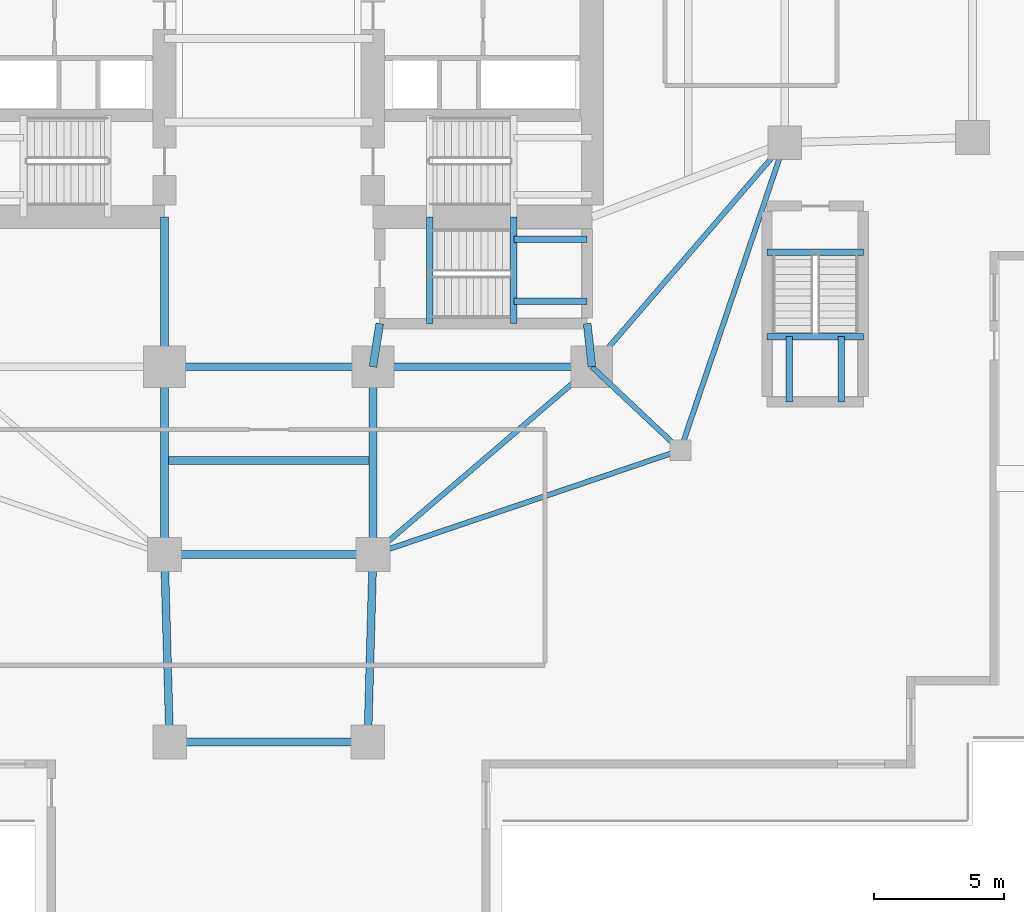
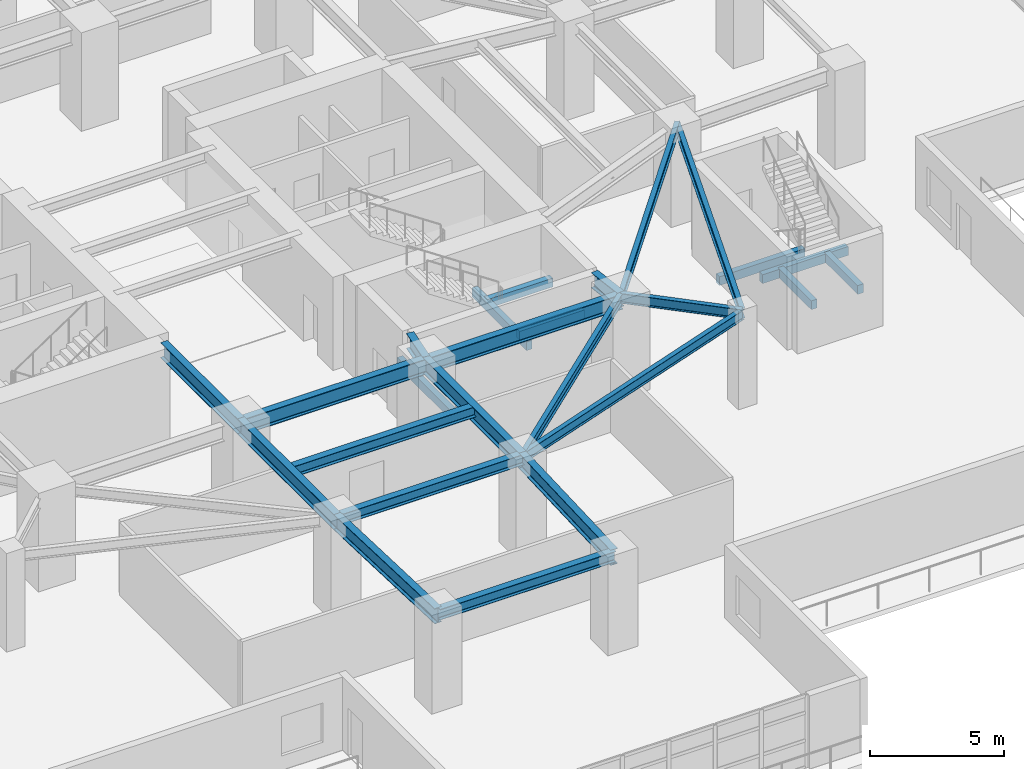
# One storey, part 3 of 23: 25 beams.
"""IFC4 building model written with IfcOpenShell, lengths in metres."""

import ifcopenshell
import ifcopenshell.guid

model = None  # the IFC model being written
_history = None  # IfcOwnerHistory: only IFC2X3 demands one
_inside = {}  # id of a spatial element -> (the spatial element, [elements in it])
_under = {}  # id of a project, library or spatial element -> (it, [spatial elements below it])
_declared = {}  # id of a project -> (the project, [libraries it declares])
_typed = {}  # id of a type object -> (the type object, [elements of that type])
_made_of = {}  # id of a material, layer set ... -> (it, [elements and type objects made of it])


def new_model(schema):
    """Start an empty IFC model of exactly this schema.

    Asked for "IFC4X3", IfcOpenShell would pick the latest addendum, in which some entities
    have other attributes; the version numbers below select the first issue.
    IFC2X3 requires an IfcOwnerHistory on every rooted entity: one is made here for all.
    """
    global model, _history
    if schema == "IFC4X3":
        model = ifcopenshell.file(schema_version=(4, 3, 0, 0))
    else:
        model = ifcopenshell.file(schema=schema)
    _inside.clear()
    _under.clear()
    _declared.clear()
    _typed.clear()
    _made_of.clear()
    _history = None
    if model.schema == "IFC2X3":
        org = make("IfcOrganization", Name="unknown")
        user = make(
            "IfcPersonAndOrganization",
            ThePerson=make("IfcPerson", FamilyName="unknown"),
            TheOrganization=org,
        )
        app = make(
            "IfcApplication",
            ApplicationDeveloper=org,
            Version="unknown",
            ApplicationFullName="unknown",
            ApplicationIdentifier="unknown",
        )
        _history = make(
            "IfcOwnerHistory",
            OwningUser=user,
            OwningApplication=app,
            ChangeAction="ADDED",
            CreationDate=0,
        )
    return model


def make(cls, **values):
    """One entity of the class cls with the attributes given. An attribute that is None is left unset."""
    return model.create_entity(
        cls, **{name: value for name, value in values.items() if value is not None}
    )


def rooted(cls, **values):
    """An entity with a GlobalId (a new one), such as an element, a storey or a relation."""
    return make(cls, GlobalId=ifcopenshell.guid.new(), OwnerHistory=_history, **values)


def si_unit(unit_type, name, prefix=None):
    """IfcSIUnit, for example si_unit("LENGTHUNIT", "METRE", prefix="MILLI")."""
    return make("IfcSIUnit", UnitType=unit_type, Prefix=prefix, Name=name)


def assignment(units):
    """IfcUnitAssignment: the units of a project."""
    return None if units is None else make("IfcUnitAssignment", Units=units)


def point(xyz):
    """IfcCartesianPoint."""
    return None if xyz is None else make("IfcCartesianPoint", Coordinates=xyz)


def direction(xyz):
    """IfcDirection."""
    return None if xyz is None else make("IfcDirection", DirectionRatios=xyz)


def frame(location, z_axis=None, x_axis=None):
    """IfcAxis2Placement3D, a coordinate frame: its origin and axes. An axis left out is left unset."""
    return make(
        "IfcAxis2Placement3D",
        Location=point(location),
        Axis=direction(z_axis),
        RefDirection=direction(x_axis),
    )


def frame_2d(location, x_axis=None):
    """IfcAxis2Placement2D, a coordinate frame in the plane: its origin and x axis."""
    return make(
        "IfcAxis2Placement2D", Location=point(location), RefDirection=direction(x_axis)
    )


def origin():
    """The frame at (0, 0, 0) with its axes left unset."""
    return frame((0.0, 0.0, 0.0))


def origin_2d():
    """The frame at (0, 0) in the plane with its x axis left unset."""
    return frame_2d((0.0, 0.0))


def place(relative_to, where):
    """IfcLocalPlacement: puts the frame where relative to a parent placement (None: the world)."""
    return make(
        "IfcLocalPlacement", PlacementRelTo=relative_to, RelativePlacement=where
    )


def context(
    kind, dimensions, precision=None, world=None, true_north=None, identifier=None
):
    """IfcGeometricRepresentationContext, for example the 3D "Model" context."""
    return make(
        "IfcGeometricRepresentationContext",
        ContextIdentifier=identifier,
        ContextType=kind,
        CoordinateSpaceDimension=dimensions,
        Precision=precision,
        WorldCoordinateSystem=world,
        TrueNorth=true_north,
    )


def subcontext(parent, identifier, kind, view, scale=None):
    """IfcGeometricRepresentationSubContext, for example "Body" below "Model"."""
    return make(
        "IfcGeometricRepresentationSubContext",
        ContextIdentifier=identifier,
        ContextType=kind,
        ParentContext=parent,
        TargetScale=scale,
        TargetView=view,
    )


def project(units=None, contexts=None):
    """IfcProject with its units and contexts."""
    return rooted(
        "IfcProject",
        Name="project",
        RepresentationContexts=contexts,
        UnitsInContext=assignment(units),
    )


def spatial(cls, under=None, at=None, **own):
    """A site, building, storey or space (cls), placed at a placement, below another one or the project."""
    s = rooted(cls, ObjectPlacement=at, **own)
    if under is not None:
        _under.setdefault(under.id(), (under, []))[1].append(s)
    return s


def profile(cls, at=None, kind="AREA", **sizes):
    """A parametric profile (cls). Its sizes go by their IFC names, for example OverallWidth=200.0."""
    return make(cls, ProfileType=kind, Position=at, **sizes)


def rectangle(**sizes):
    """IfcRectangleProfileDef."""
    return profile("IfcRectangleProfileDef", **sizes)


def i_section(**sizes):
    """IfcIShapeProfileDef."""
    return profile("IfcIShapeProfileDef", **sizes)


def extrude(swept, where, along, depth):
    """IfcExtrudedAreaSolid: the profile swept, set in the frame where, extruded along a direction by depth."""
    return make(
        "IfcExtrudedAreaSolid",
        SweptArea=swept,
        Position=where,
        ExtrudedDirection=direction(along),
        Depth=depth,
    )


def shape(context_of_items, identifier, shape_type, items):
    """IfcShapeRepresentation: the items that make up one representation, for example the "Body"."""
    return make(
        "IfcShapeRepresentation",
        ContextOfItems=context_of_items,
        RepresentationIdentifier=identifier,
        RepresentationType=shape_type,
        Items=items,
    )


def material(Name=None, Category=None):
    """IfcMaterial."""
    return make("IfcMaterial", Name=Name, Category=Category)


def material_profile(
    of_material, cross_section, Name=None, Category=None, Priority=None
):
    """IfcMaterialProfile: a cross section and its material."""
    return make(
        "IfcMaterialProfile",
        Name=Name,
        Material=of_material,
        Profile=cross_section,
        Priority=Priority,
        Category=Category,
    )


def profile_set(profiles, Name=None, composite=None):
    """IfcMaterialProfileSet."""
    return make(
        "IfcMaterialProfileSet",
        Name=Name,
        MaterialProfiles=profiles,
        CompositeProfile=composite,
    )


def made_of(thing, what):
    """Note that an element or type object is made of a material, layer set ...; save() writes the relation."""
    if what is not None:
        _made_of.setdefault(what.id(), (what, []))[1].append(thing)
    return thing


def type_object(cls, material=None, **own):
    """A type object (cls), such as IfcWallType, which elements share."""
    return made_of(rooted(cls, **own), material)


def element(
    cls,
    number,
    at=None,
    inside=None,
    cuts=None,
    type_object=None,
    material=None,
    context=None,
    identifier="Body",
    shape_type=None,
    held_by="IfcProductDefinitionShape",
    body=None,
    shapes=None,
    **own,
):
    """One element of the class cls, such as IfcWall. Its Tag is "e" and its number.

    at: its placement. inside: the storey or other place that contains it. cuts: it is an
    opening in that element (IfcRelVoidsElement). A single representation is given by context,
    identifier, shape_type and body (its items); several are given by shapes. held_by: the class
    of the entity that holds the representations. save() writes the other relations.
    """
    e = rooted(cls, Tag="e%d" % number, ObjectPlacement=at, **own)
    if body is not None:
        shapes = [shape(context, identifier, shape_type, body)]
    if shapes is not None:
        e.Representation = make(held_by, Representations=shapes)
    if inside is not None:
        _inside.setdefault(inside.id(), (inside, []))[1].append(e)
    if cuts is not None:
        rooted(
            "IfcRelVoidsElement", RelatingBuildingElement=cuts, RelatedOpeningElement=e
        )
    if type_object is not None:
        _typed.setdefault(type_object.id(), (type_object, []))[1].append(e)
    return made_of(e, material)


def aggregate(whole, parts):
    """IfcRelAggregates: a whole, such as a stair, and the parts it consists of."""
    return rooted("IfcRelAggregates", RelatingObject=whole, RelatedObjects=parts)


def save(model, path):
    """Write the relations noted so far, then the file.

    IfcRelAggregates (storeys below a building ...), IfcRelContainedInSpatialStructure (elements
    in a storey), IfcRelDefinesByType, IfcRelAssociatesMaterial and IfcRelDeclares: one each for
    every whole, place, type object, material and project.
    """
    for whole, parts in _under.values():
        aggregate(whole, parts)
    for where, things in _inside.values():
        rooted(
            "IfcRelContainedInSpatialStructure",
            RelatedElements=things,
            RelatingStructure=where,
        )
    for kind, things in _typed.values():
        rooted("IfcRelDefinesByType", RelatedObjects=things, RelatingType=kind)
    for what, things in _made_of.values():
        rooted("IfcRelAssociatesMaterial", RelatedObjects=things, RelatingMaterial=what)
    for by, libraries in _declared.values():
        rooted("IfcRelDeclares", RelatingContext=by, RelatedDefinitions=libraries)
    model.write(path)


model = new_model("IFC4")

# Units and contexts
model_context = context("Model", 3, precision=1e-05, world=origin(), true_north=direction((0.0, 1.0)))
body_context = subcontext(model_context, "Body", "Model", "MODEL_VIEW")
ifc_project = project(units=[si_unit("LENGTHUNIT", "METRE"), si_unit("AREAUNIT", "SQUARE_METRE"), si_unit("VOLUMEUNIT", "CUBIC_METRE"), si_unit("PLANEANGLEUNIT", "RADIAN"), si_unit("MASSUNIT", "GRAM", prefix="KILO")], contexts=[model_context])

# Site, building, storey
site_placement = place(None, origin())
site = spatial("IfcSite", under=ifc_project, at=site_placement, CompositionType="ELEMENT")
building_placement = place(site_placement, origin())
building = spatial("IfcBuilding", under=site, at=building_placement, Name="Qingluan Cross Belvedere", CompositionType="ELEMENT")
storey_placement = place(building_placement, frame((0.0, 0.0, 10.199951171875)))
storey = spatial("IfcBuildingStorey", under=building, at=storey_placement, Name="L03", CompositionType="ELEMENT", Elevation=10.199951171875)

# Beams
ifc_material_1 = material(Name="Concrete C45", Category="concrete")
ifc_material_profile_1 = material_profile(ifc_material_1, rectangle(XDim=0.25, YDim=0.39990234375, at=origin_2d()), Name="RC250x400")
ifc_profile_set_1 = profile_set([ifc_material_profile_1], Name="Concrete C45")
beam_type_1 = type_object("IfcBeamType", Name="RC_Lintel_RC250x400", PredefinedType="LINTEL", material=ifc_profile_set_1)
beam_1_placement = place(storey_placement, frame((6.179931640625, -10.93994140625, -0.199951171875), z_axis=(0.0, 1.0, 0.0), x_axis=(-1.0, 0.0, 0.0)))
element("IfcBeam", 1, at=beam_1_placement, inside=storey, type_object=beam_type_1, Name="Stair ST4 landing beam L03", PredefinedType="LINTEL", context=body_context, shape_type="SweptSolid", body=[
    extrude(rectangle(XDim=0.25, YDim=0.39990234375, at=origin_2d()), origin(), (0.0, 0.0, 1.0), 4.08984375),
])
beam_2_placement = place(storey_placement, frame((19.1201171875, -8.2099609375, -0.199951171875), z_axis=(1.0, 0.0, 0.0), x_axis=(0.0, 1.0, 0.0)))
element("IfcBeam", 2, at=beam_2_placement, inside=storey, type_object=beam_type_1, Name="Stair ST6 landing beam L03", PredefinedType="LINTEL", context=body_context, shape_type="SweptSolid", body=[
    extrude(rectangle(XDim=0.25, YDim=0.39990234375, at=origin_2d()), origin(), (0.0, 0.0, 1.0), 3.699951171875),
])
beam_3_placement = place(storey_placement, frame((9.409912109375, -10.93994140625, 1.85009765625), z_axis=(0.0, 1.0, 0.0), x_axis=(-1.0, 0.0, 0.0)))
element("IfcBeam", 3, at=beam_3_placement, inside=storey, type_object=beam_type_1, Name="Stair ST4 beam A L03", PredefinedType="LINTEL", context=body_context, shape_type="SweptSolid", body=[
    extrude(rectangle(XDim=0.25, YDim=0.39990234375, at=origin_2d()), origin(), (0.0, 0.0, 1.0), 4.08984375),
])
for number, where, z_axis, x_axis, name in (
    (4, (12.219970703125, -10.090087890625, 1.85009765625), (-1.0, 0.0, 0.0), (0.0, -1.0, 0.0), "Stair ST4 beam B L03"),
    (5, (12.219970703125, -7.699951171875, 1.85009765625), (-1.0, 0.0, 0.0), (0.0, -1.0, 0.0), "Stair ST4 beam C L03"),
):
    element("IfcBeam", number, at=place(storey_placement, frame(where, z_axis=z_axis, x_axis=x_axis)), inside=storey, type_object=beam_type_1, Name=name, PredefinedType="LINTEL", context=body_context, shape_type="SweptSolid", body=[
        extrude(rectangle(XDim=0.25, YDim=0.39990234375, at=origin_2d()), origin(), (0.0, 0.0, 1.0), 2.81005859375),
    ])
beam_4_placement = place(storey_placement, frame((19.1201171875, -11.43994140625, 1.85009765625), z_axis=(1.0, 0.0, 0.0), x_axis=(0.0, 1.0, 0.0)))
element("IfcBeam", 6, at=beam_4_placement, inside=storey, type_object=beam_type_1, Name="Stair ST6 beam A L03", PredefinedType="LINTEL", context=body_context, shape_type="SweptSolid", body=[
    extrude(rectangle(XDim=0.25, YDim=0.39990234375, at=origin_2d()), origin(), (0.0, 0.0, 1.0), 3.699951171875),
])
for number, where, z_axis, x_axis, name in (
    (7, (19.969970703125, -13.949951171875, 1.85009765625), (0.0, 1.0, 0.0), (-1.0, 0.0, 0.0), "Stair ST6 beam B L03"),
    (8, (21.969970703125, -13.949951171875, 1.85009765625), (0.0, 1.0, 0.0), (-1.0, 0.0, 0.0), "Stair ST6 beam C L03"),
):
    element("IfcBeam", number, at=place(storey_placement, frame(where, z_axis=z_axis, x_axis=x_axis)), inside=storey, type_object=beam_type_1, Name=name, PredefinedType="LINTEL", context=body_context, shape_type="SweptSolid", body=[
        extrude(rectangle(XDim=0.25, YDim=0.39990234375, at=origin_2d()), origin(), (0.0, 0.0, 1.0), 2.510009765625),
    ])
ifc_material_2 = material(Name="Steel Q420GJB", Category="steel")
ifc_material_profile_2 = material_profile(ifc_material_2, i_section(OverallWidth=0.300048828125, OverallDepth=0.488037109375, WebThickness=0.010986328125, FlangeThickness=0.01806640625, FilletRadius=0.02197265625, at=origin_2d()), Name="HM488x300x11x18")
ifc_profile_set_2 = profile_set([ifc_material_profile_2], Name="Steel Q420GJB")
beam_type_2 = type_object("IfcBeamType", Name="Steel_Beam_HM488x300x11x18", PredefinedType="BEAM", material=ifc_profile_set_2)
for number, where, z_axis, x_axis, name in (
    (9, (-4.0, -19.800048828125, 4.006103515625), (1.0, 0.0, 0.0), (0.0, 1.0, 0.0), "Arm S tie L03"),
    (10, (-4.0, -16.199951171875, 4.006103515625), (1.0, 0.0, 0.0), (0.0, 1.0, 0.0), "Arm S beam L03"),
):
    element("IfcBeam", number, at=place(storey_placement, frame(where, z_axis=z_axis, x_axis=x_axis)), inside=storey, type_object=beam_type_2, Name=name, PredefinedType="BEAM", context=body_context, shape_type="SweptSolid", body=[
        extrude(i_section(OverallWidth=0.300048828125, OverallDepth=0.488037109375, WebThickness=0.010986328125, FlangeThickness=0.01806640625, FilletRadius=0.02197265625, at=origin_2d()), origin(), (0.0, 0.0, 1.0), 8.0),
    ])
beam_5_placement = place(storey_placement, frame((-3.800048828125, -27.0, 4.006103515625), z_axis=(1.0, 0.0, 0.0), x_axis=(0.0, 1.0, 0.0)))
element("IfcBeam", 11, at=beam_5_placement, inside=storey, type_object=beam_type_2, Name="Arm S tip transverse beam L03", PredefinedType="BEAM", context=body_context, shape_type="SweptSolid", body=[
    extrude(i_section(OverallWidth=0.300048828125, OverallDepth=0.488037109375, WebThickness=0.010986328125, FlangeThickness=0.01806640625, FilletRadius=0.02197265625, at=origin_2d()), origin(), (0.0, 0.0, 1.0), 7.60009765625),
])
ifc_material_3 = material(Name="Steel Q420GJB", Category="steel")
ifc_material_profile_3 = material_profile(ifc_material_3, i_section(OverallWidth=0.199951171875, OverallDepth=0.449951171875, WebThickness=0.009033203125, FlangeThickness=0.013916015625, FilletRadius=0.01611328125, at=origin_2d()), Name="HN450x200x9x14")
ifc_profile_set_3 = profile_set([ifc_material_profile_3], Name="Steel Q420GJB")
beam_type_3 = type_object("IfcBeamType", Name="Steel_Beam_HN450x200x9x14", PredefinedType="JOIST", material=ifc_profile_set_3)
beam_6_placement = place(storey_placement, frame((12.39990234375, -12.60009765625, 4.025146484375), z_axis=(0.728219948308, -0.685343495546, 0.0), x_axis=(0.685343495546, 0.728219948308, 0.0)))
element("IfcBeam", 12, at=beam_6_placement, inside=storey, type_object=beam_type_3, Name="Corner beam 1 L03-RSE", PredefinedType="JOIST", context=body_context, shape_type="SweptSolid", body=[
    extrude(i_section(OverallWidth=0.199951171875, OverallDepth=0.449951171875, WebThickness=0.009033203125, FlangeThickness=0.013916015625, FilletRadius=0.01611328125, at=origin_2d()), origin(), (0.0, 0.0, 1.0), 4.669189453125),
])
for number, where, z_axis, x_axis, name in (
    (13, (15.800048828125, -15.800048828125, 4.025146484375), (-0.947066283324, -0.321038089628, 0.0), (0.321038089628, -0.947066283324, 0.0), "Corner beam 2 L03-RSE"),
    (14, (15.800048828125, -15.800048828125, 4.025146484375), (0.321038089628, 0.947066283324, 0.0), (-0.947066283324, 0.321038089628, 0.0), "Corner beam 3 L03-RSE"),
):
    element("IfcBeam", number, at=place(storey_placement, frame(where, z_axis=z_axis, x_axis=x_axis)), inside=storey, type_object=beam_type_3, Name=name, PredefinedType="JOIST", context=body_context, shape_type="SweptSolid", body=[
        extrude(i_section(OverallWidth=0.199951171875, OverallDepth=0.449951171875, WebThickness=0.009033203125, FlangeThickness=0.013916015625, FilletRadius=0.01611328125, at=origin_2d()), origin(), (0.0, 0.0, 1.0), 12.45947265625),
    ])
beam_7_placement = place(storey_placement, frame((12.39990234375, -12.60009765625, 4.025146484375), z_axis=(0.652245077546, 0.75800815221, 0.0), x_axis=(-0.75800815221, 0.652245077546, 0.0)))
element("IfcBeam", 15, at=beam_7_placement, inside=storey, type_object=beam_type_3, Name="Corner beam 4 L03-RSE", PredefinedType="JOIST", context=body_context, shape_type="SweptSolid", body=[
    extrude(i_section(OverallWidth=0.199951171875, OverallDepth=0.449951171875, WebThickness=0.009033203125, FlangeThickness=0.013916015625, FilletRadius=0.01611328125, at=origin_2d()), origin(), (0.0, 0.0, 1.0), 11.345703125),
])
beam_8_placement = place(storey_placement, frame((12.39990234375, -12.60009765625, 4.025146484375), z_axis=(-0.759255044656, -0.650793190779, 0.0), x_axis=(0.650793190779, -0.759255044656, 0.0)))
element("IfcBeam", 16, at=beam_8_placement, inside=storey, type_object=beam_type_3, Name="Corner beam 5 L03-RSE", PredefinedType="JOIST", context=body_context, shape_type="SweptSolid", body=[
    extrude(i_section(OverallWidth=0.199951171875, OverallDepth=0.449951171875, WebThickness=0.009033203125, FlangeThickness=0.013916015625, FilletRadius=0.01611328125, at=origin_2d()), origin(), (0.0, 0.0, 1.0), 11.063232421875),
])
ifc_material_4 = material(Name="Steel Q420GJB", Category="steel")
ifc_material_profile_4 = material_profile(ifc_material_4, i_section(OverallWidth=0.300048828125, OverallDepth=0.699951171875, WebThickness=0.014892578125, FlangeThickness=0.027099609375, FilletRadius=0.027099609375, at=origin_2d()), Name="HEB700")
ifc_profile_set_4 = profile_set([ifc_material_profile_4], Name="Steel Q420GJB")
beam_type_4 = type_object("IfcBeamType", Name="Steel_Girder_HEB700", PredefinedType="USERDEFINED", material=ifc_profile_set_4)
beam_9_placement = place(storey_placement, frame((-4.0, -12.60009765625, 3.900146484375), z_axis=(1.0, 0.0, 0.0), x_axis=(0.0, 1.0, 0.0)))
element("IfcBeam", 17, at=beam_9_placement, inside=storey, type_object=beam_type_4, Name="Hub girder L03-HG-S2", ObjectType="GIRDER", PredefinedType="USERDEFINED", context=body_context, shape_type="SweptSolid", body=[
    extrude(i_section(OverallWidth=0.300048828125, OverallDepth=0.699951171875, WebThickness=0.014892578125, FlangeThickness=0.027099609375, FilletRadius=0.027099609375, at=origin_2d()), origin(), (0.0, 0.0, 1.0), 8.0),
])
beam_10_placement = place(storey_placement, frame((4.0, -12.60009765625, 3.900146484375), z_axis=(1.0, 0.0, 0.0), x_axis=(0.0, 1.0, 0.0)))
element("IfcBeam", 18, at=beam_10_placement, inside=storey, type_object=beam_type_4, Name="Hub girder L03-HG-S3", ObjectType="GIRDER", PredefinedType="USERDEFINED", context=body_context, shape_type="SweptSolid", body=[
    extrude(i_section(OverallWidth=0.300048828125, OverallDepth=0.699951171875, WebThickness=0.014892578125, FlangeThickness=0.027099609375, FilletRadius=0.027099609375, at=origin_2d()), origin(), (0.0, 0.0, 1.0), 8.39990234375),
])
beam_11_placement = place(storey_placement, frame((12.39990234375, -12.60009765625, 3.900146484375), z_axis=(-0.107751337451, 0.994177876075, 0.0), x_axis=(-0.994177876075, -0.107751337451, 0.0)))
element("IfcBeam", 19, at=beam_11_placement, inside=storey, type_object=beam_type_4, Name="Hub girder L03-HG-E1", ObjectType="GIRDER", PredefinedType="USERDEFINED", context=body_context, shape_type="SweptSolid", body=[
    extrude(i_section(OverallWidth=0.300048828125, OverallDepth=0.699951171875, WebThickness=0.014892578125, FlangeThickness=0.027099609375, FilletRadius=0.027099609375, at=origin_2d()), origin(), (0.0, 0.0, 1.0), 1.669921875),
])
beam_12_placement = place(storey_placement, frame((-4.0, -12.60009765625, 3.900146484375), z_axis=(0.0, 1.0, 0.0), x_axis=(-1.0, 0.0, 0.0)))
element("IfcBeam", 20, at=beam_12_placement, inside=storey, type_object=beam_type_4, Name="Hub girder L03-HG-CW", ObjectType="GIRDER", PredefinedType="USERDEFINED", context=body_context, shape_type="SweptSolid", body=[
    extrude(i_section(OverallWidth=0.300048828125, OverallDepth=0.699951171875, WebThickness=0.014892578125, FlangeThickness=0.027099609375, FilletRadius=0.027099609375, at=origin_2d()), origin(), (0.0, 0.0, 1.0), 5.75),
])
beam_13_placement = place(storey_placement, frame((4.0, -12.60009765625, 3.900146484375), z_axis=(0.154731433337, 0.987956569662, 0.0), x_axis=(-0.987956569662, 0.154731433337, 0.0)))
element("IfcBeam", 21, at=beam_13_placement, inside=storey, type_object=beam_type_4, Name="Hub girder L03-HG-CE", ObjectType="GIRDER", PredefinedType="USERDEFINED", context=body_context, shape_type="SweptSolid", body=[
    extrude(i_section(OverallWidth=0.300048828125, OverallDepth=0.699951171875, WebThickness=0.014892578125, FlangeThickness=0.027099609375, FilletRadius=0.027099609375, at=origin_2d()), origin(), (0.0, 0.0, 1.0), 1.680419921875),
])
for number, where, z_axis, x_axis, name in (
    (22, (-4.0, -12.60009765625, 3.900146484375), (0.0, -1.0, 0.0), (1.0, 0.0, 0.0), "Arm S radial girder A L03"),
    (23, (4.0, -12.60009765625, 3.900146484375), (0.0, -1.0, 0.0), (1.0, 0.0, 0.0), "Arm S radial girder B L03"),
):
    element("IfcBeam", number, at=place(storey_placement, frame(where, z_axis=z_axis, x_axis=x_axis)), inside=storey, type_object=beam_type_4, Name=name, ObjectType="GIRDER", PredefinedType="USERDEFINED", context=body_context, shape_type="SweptSolid", body=[
        extrude(i_section(OverallWidth=0.300048828125, OverallDepth=0.699951171875, WebThickness=0.014892578125, FlangeThickness=0.027099609375, FilletRadius=0.027099609375, at=origin_2d()), origin(), (0.0, 0.0, 1.0), 7.199951171875),
    ])
for number, where, z_axis, x_axis, name in (
    (24, (-4.0, -19.800048828125, 3.900146484375), (0.027760481514, -0.999614603568, 0.0), (0.999614603568, 0.027760481514, 0.0), "Arm S outer radial girder A L03"),
    (25, (4.0, -19.800048828125, 3.900146484375), (-0.027760481514, -0.999614603568, 0.0), (0.999614603568, -0.027760481514, 0.0), "Arm S outer radial girder B L03"),
):
    element("IfcBeam", number, at=place(storey_placement, frame(where, z_axis=z_axis, x_axis=x_axis)), inside=storey, type_object=beam_type_4, Name=name, ObjectType="GIRDER", PredefinedType="USERDEFINED", context=body_context, shape_type="SweptSolid", body=[
        extrude(i_section(OverallWidth=0.300048828125, OverallDepth=0.699951171875, WebThickness=0.014892578125, FlangeThickness=0.027099609375, FilletRadius=0.027099609375, at=origin_2d()), origin(), (0.0, 0.0, 1.0), 7.20263671875),
    ])

save(model, "model.ifc")
